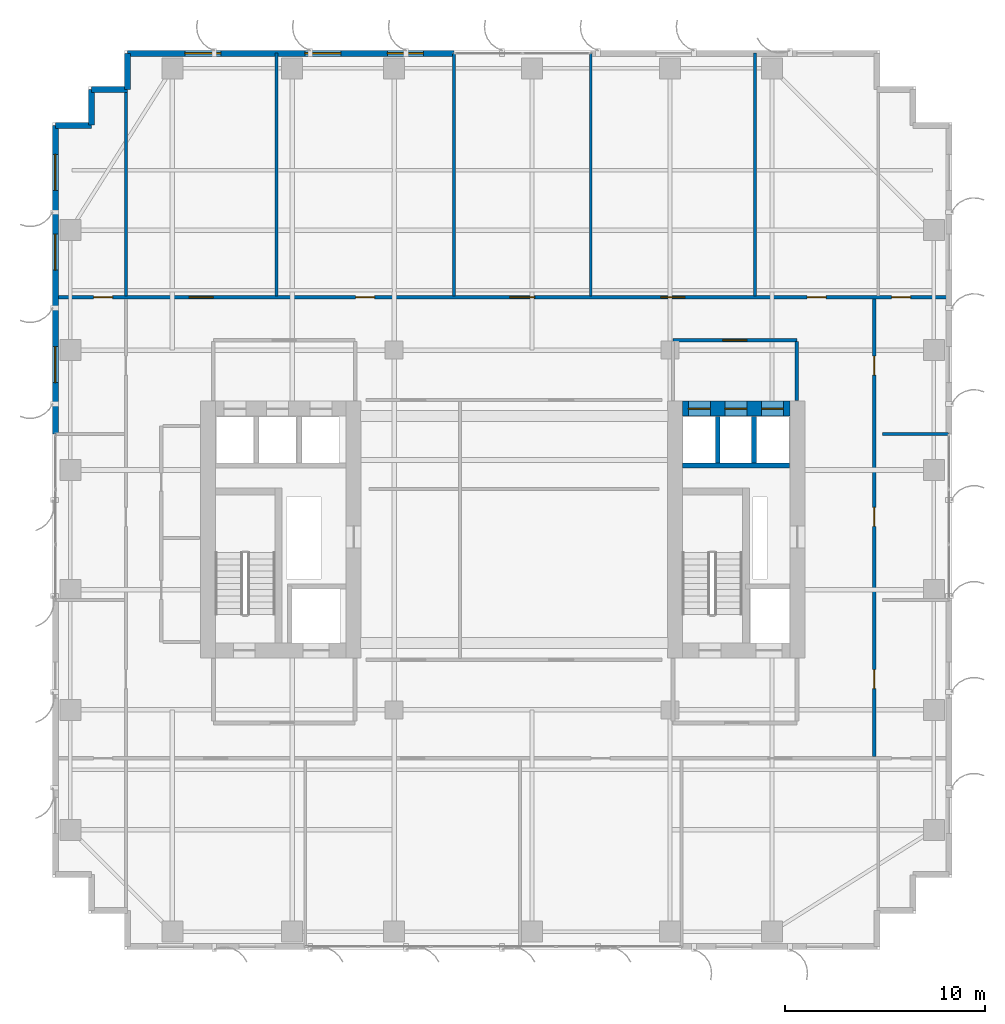
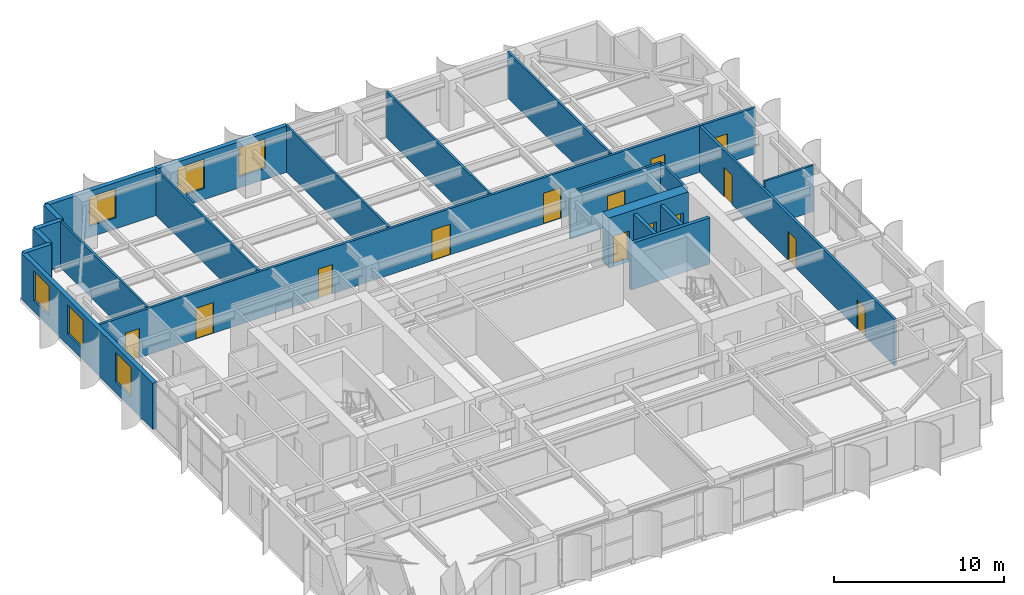
# One storey, part 18 of 22: 20 walls, 14 doors, 6 windows, 20 openings.
"""IFC4 building model written with IfcOpenShell, lengths in metres."""

from ifc_helpers import new_model, si_unit, direction, frame, frame_2d, origin, place, context, subcontext, project, spatial, rectangle, extrude, source, transform, mapped, material, layer, layer_set, type_object, element, fill, save


model = new_model("IFC4")

# Units and contexts
model_context = context("Model", 3, precision=1e-05, world=origin(), true_north=direction((0.0, 1.0)))
body_context = subcontext(model_context, "Body", "Model", "MODEL_VIEW")
ifc_project = project(units=[si_unit("LENGTHUNIT", "METRE"), si_unit("AREAUNIT", "SQUARE_METRE"), si_unit("VOLUMEUNIT", "CUBIC_METRE"), si_unit("PLANEANGLEUNIT", "RADIAN"), si_unit("MASSUNIT", "GRAM", prefix="KILO")], contexts=[model_context])

# Site, building, storey
site_placement = place(None, origin())
site = spatial("IfcSite", under=ifc_project, at=site_placement, CompositionType="ELEMENT")
building_placement = place(site_placement, origin())
building = spatial("IfcBuilding", under=site, at=building_placement, Name="Khoralis Quay Care Tower", CompositionType="ELEMENT")
storey_placement = place(building_placement, frame((0.0, 0.0, 141.300048828125)))
storey = spatial("IfcBuildingStorey", under=building, at=storey_placement, Name="L37", CompositionType="ELEMENT", Elevation=141.300048828125)

# Wall, openings, doors
ifc_material_1 = material(Name="Concrete C80/95", Category="concrete")
ifc_layer_1 = layer(ifc_material_1, 0.75)
ifc_layer_set_1 = layer_set([ifc_layer_1], Name="Concrete C80/95")
wall_type_1 = type_object("IfcWallType", Name="WL-CORE-750", PredefinedType="SHEAR", material=ifc_layer_set_1)
wall_1_placement = place(storey_placement, frame((31.52001953125, 27.074951171875, 0.0), z_axis=(0.0, 0.0, 1.0), x_axis=(1.0, 0.0, 0.0)))
wall_1 = element("IfcWall", 1, at=wall_1_placement, inside=storey, type_object=wall_type_1, Name="L37 ECORE North Shear Wall", PredefinedType="SHEAR", context=body_context, shape_type="SweptSolid", body=[
    extrude(rectangle(XDim=5.3798828125, YDim=0.75, at=frame_2d((2.68994140625, 0.0))), origin(), (0.0, 0.0, 1.0), 3.599853515625),
])
opening_1_placement = place(wall_1_placement, frame((0.300048828125, 0.0, 0.0)))
opening_1 = element("IfcOpeningElement", 2, at=opening_1_placement, cuts=wall_1, Name="Opening LD1", PredefinedType="OPENING", context=body_context, shape_type="SweptSolid", body=[
    extrude(rectangle(XDim=1.10009765625, YDim=2.199951171875, at=frame_2d((0.550048828125, 1.10009765625))), frame((0.0, 0.385009765625, 0.0), z_axis=(0.0, -1.0, 0.0), x_axis=(1.0, 0.0, 0.0)), (0.0, 0.0, 1.0), 0.77001953125),
])
opening_2_placement = place(wall_1_placement, frame((2.1298828125, 0.0, 0.0)))
opening_2 = element("IfcOpeningElement", 3, at=opening_2_placement, cuts=wall_1, Name="Opening LD1", PredefinedType="OPENING", context=body_context, shape_type="SweptSolid", body=[
    extrude(rectangle(XDim=1.10009765625, YDim=2.199951171875, at=frame_2d((0.550048828125, 1.10009765625))), frame((0.0, 0.385009765625, 0.0), z_axis=(0.0, -1.0, 0.0), x_axis=(1.0, 0.0, 0.0)), (0.0, 0.0, 1.0), 0.77001953125),
])
opening_3_placement = place(wall_1_placement, frame((3.9599609375, 0.0, 0.0)))
opening_3 = element("IfcOpeningElement", 4, at=opening_3_placement, cuts=wall_1, Name="Opening LD1", PredefinedType="OPENING", context=body_context, shape_type="SweptSolid", body=[
    extrude(rectangle(XDim=1.10009765625, YDim=2.199951171875, at=frame_2d((0.550048828125, 1.10009765625))), frame((0.0, 0.385009765625, 0.0), z_axis=(0.0, -1.0, 0.0), x_axis=(1.0, 0.0, 0.0)), (0.0, 0.0, 1.0), 0.77001953125),
])
ifc_material_2 = material(Name="Brushed stainless steel", Category="steel")
door_type_1 = type_object("IfcDoorType", Name="DR-LIFT-1100X2200", OperationType="SLIDING_TO_LEFT", PredefinedType="DOOR", material=ifc_material_2)
shared_shape_1 = source(origin(), body_context, "Body", "SweptSolid", [
    extrude(rectangle(XDim=1.10009765625, YDim=2.199951171875, at=frame_2d((0.550048828125, 1.10009765625))), frame((0.0, 0.02490234375, 0.0), z_axis=(0.0, -1.0, 0.0), x_axis=(1.0, 0.0, 0.0)), (0.0, 0.0, 1.0), 0.050048828125),
])
door_1_placement = place(opening_1_placement, origin())
door_1 = element("IfcDoor", 5, at=door_1_placement, inside=storey, type_object=door_type_1, Name="L37 Lift PLL2 Landing Door", OperationType="SLIDING_TO_LEFT", OverallHeight=2.199951171875, OverallWidth=1.10009765625, PredefinedType="DOOR", context=body_context, shape_type="MappedRepresentation", body=[
    mapped(shared_shape_1, transform((0.0, 0.0, 0.0), scale=1.0)),
])
fill(opening_1, door_1)
door_2_placement = place(opening_2_placement, origin())
door_2 = element("IfcDoor", 6, at=door_2_placement, inside=storey, type_object=door_type_1, Name="L37 Lift PLM2 Landing Door", OperationType="SLIDING_TO_LEFT", OverallHeight=2.199951171875, OverallWidth=1.10009765625, PredefinedType="DOOR", context=body_context, shape_type="MappedRepresentation", body=[
    mapped(shared_shape_1, transform((0.0, 0.0, 0.0), scale=1.0)),
])
fill(opening_2, door_2)
door_3_placement = place(opening_3_placement, origin())
door_3 = element("IfcDoor", 7, at=door_3_placement, inside=storey, type_object=door_type_1, Name="L37 Lift PLH2 Landing Door", OperationType="SLIDING_TO_LEFT", OverallHeight=2.199951171875, OverallWidth=1.10009765625, PredefinedType="DOOR", context=body_context, shape_type="MappedRepresentation", body=[
    mapped(shared_shape_1, transform((0.0, 0.0, 0.0), scale=1.0)),
])
fill(opening_3, door_3)

# Wall, opening, door
ifc_material_3 = material(Name="Gypsum plasterboard on acoustic metal stud")
ifc_layer_2 = layer(ifc_material_3, 0.1650390625)
ifc_layer_set_2 = layer_set([ifc_layer_2], Name="Gypsum plasterboard on acoustic metal stud")
wall_type_2 = type_object("IfcWallType", Name="WL-CORR-165", PredefinedType="PARTITIONING", material=ifc_layer_set_2)
wall_2_placement = place(storey_placement, frame((31.050048828125, 30.5, 0.0), z_axis=(0.0, 0.0, 1.0), x_axis=(1.0, 0.0, 0.0)))
wall_2 = element("IfcWall", 8, at=wall_2_placement, inside=storey, type_object=wall_type_2, Name="L37 East Lift Lobby North Wall", PredefinedType="PARTITIONING", context=body_context, shape_type="SweptSolid", body=[
    extrude(rectangle(XDim=6.199951171875, YDim=0.1650390625, at=frame_2d((3.10009765625, 0.0))), origin(), (0.0, 0.0, 1.0), 3.320068359375),
])
opening_4_placement = place(wall_2_placement, frame((2.5, 0.0, 0.0)))
opening_4 = element("IfcOpeningElement", 9, at=opening_4_placement, cuts=wall_2, Name="Opening FD1", PredefinedType="OPENING", context=body_context, shape_type="SweptSolid", body=[
    extrude(rectangle(XDim=1.199951171875, YDim=2.199951171875, at=frame_2d((0.60009765625, 1.10009765625))), frame((0.0, 0.092529296875, 0.0), z_axis=(0.0, -1.0, 0.0), x_axis=(1.0, 0.0, 0.0)), (0.0, 0.0, 1.0), 0.18505859375),
])
ifc_material_4 = material(Name="Fire-rated painted steel", Category="steel")
door_type_2 = type_object("IfcDoorType", Name="DR-FFL-1200X2200", OperationType="NOTDEFINED", PredefinedType="DOOR", material=ifc_material_4)
shared_shape_2 = source(origin(), body_context, "Body", "SweptSolid", [
    extrude(rectangle(XDim=1.199951171875, YDim=2.199951171875, at=frame_2d((0.60009765625, 1.10009765625))), frame((0.0, 0.02490234375, 0.0), z_axis=(0.0, -1.0, 0.0), x_axis=(1.0, 0.0, 0.0)), (0.0, 0.0, 1.0), 0.050048828125),
])
door_4_placement = place(opening_4_placement, origin())
door_4 = element("IfcDoor", 10, at=door_4_placement, inside=storey, type_object=door_type_2, Name="L37 East Lift Lobby Double Door", OperationType="DOUBLE_DOOR_SINGLE_SWING", OverallHeight=2.199951171875, OverallWidth=1.199951171875, PredefinedType="DOOR", context=body_context, shape_type="MappedRepresentation", body=[
    mapped(shared_shape_2, transform((0.0, 0.0, 0.0), scale=1.0)),
])
fill(opening_4, door_4)

# Wall
wall_3_placement = place(storey_placement, frame((37.25, 27.469970703125, 0.0), z_axis=(0.0, 0.0, 1.0), x_axis=(0.0, 1.0, 0.0)))
element("IfcWall", 11, at=wall_3_placement, inside=storey, type_object=wall_type_2, Name="L37 East Lift Lobby East Wall", PredefinedType="PARTITIONING", context=body_context, shape_type="SweptSolid", body=[
    extrude(rectangle(XDim=2.95263671875, YDim=0.1650390625, at=frame_2d((1.476318359375, 0.0))), origin(), (0.0, 0.0, 1.0), 3.320068359375),
])

# Wall, openings, doors
wall_4_placement = place(storey_placement, frame((0.14501953125, 32.639892578125, 0.0), z_axis=(0.0, 0.0, 1.0), x_axis=(1.0, 0.0, 0.0)))
wall_4 = element("IfcWall", 12, at=wall_4_placement, inside=storey, type_object=wall_type_2, Name="L37 North Main Corridor Wall", PredefinedType="PARTITIONING", context=body_context, shape_type="SweptSolid", body=[
    extrude(rectangle(XDim=44.7099609375, YDim=0.1650390625, at=frame_2d((22.35498046875, 0.0))), origin(), (0.0, 0.0, 1.0), 3.320068359375),
])
opening_5_placement = place(wall_4_placement, frame((6.699951171875, 0.0, 0.0)))
opening_5 = element("IfcOpeningElement", 13, at=opening_5_placement, cuts=wall_4, Name="Opening FD1", PredefinedType="OPENING", context=body_context, shape_type="SweptSolid", body=[
    extrude(rectangle(XDim=1.199951171875, YDim=2.199951171875, at=frame_2d((0.60009765625, 1.10009765625))), frame((0.0, 0.092529296875, 0.0), z_axis=(0.0, -1.0, 0.0), x_axis=(1.0, 0.0, 0.0)), (0.0, 0.0, 1.0), 0.18505859375),
])
opening_6_placement = place(wall_4_placement, frame((15.030029296875, 0.0, 0.0)))
opening_6 = element("IfcOpeningElement", 14, at=opening_6_placement, cuts=wall_4, Name="Opening ID1", PredefinedType="OPENING", context=body_context, shape_type="SweptSolid", body=[
    extrude(rectangle(XDim=0.949951171875, YDim=2.10009765625, at=frame_2d((0.47509765625, 1.050048828125))), frame((0.0, 0.092529296875, 0.0), z_axis=(0.0, -1.0, 0.0), x_axis=(1.0, 0.0, 0.0)), (0.0, 0.0, 1.0), 0.18505859375),
])
opening_7_placement = place(wall_4_placement, frame((22.7451171875, 0.0, 0.0)))
opening_7 = element("IfcOpeningElement", 15, at=opening_7_placement, cuts=wall_4, Name="Opening CD1", PredefinedType="OPENING", context=body_context, shape_type="SweptSolid", body=[
    extrude(rectangle(XDim=1.25, YDim=2.199951171875, at=frame_2d((0.625, 1.10009765625))), frame((0.0, 0.092529296875, 0.0), z_axis=(0.0, -1.0, 0.0), x_axis=(1.0, 0.0, 0.0)), (0.0, 0.0, 1.0), 0.18505859375),
])
opening_8_placement = place(wall_4_placement, frame((30.300048828125, 0.0, 0.0)))
opening_8 = element("IfcOpeningElement", 16, at=opening_8_placement, cuts=wall_4, Name="Opening FD1", PredefinedType="OPENING", context=body_context, shape_type="SweptSolid", body=[
    extrude(rectangle(XDim=1.199951171875, YDim=2.199951171875, at=frame_2d((0.60009765625, 1.10009765625))), frame((0.0, 0.092529296875, 0.0), z_axis=(0.0, -1.0, 0.0), x_axis=(1.0, 0.0, 0.0)), (0.0, 0.0, 1.0), 0.18505859375),
])
opening_9_placement = place(wall_4_placement, frame((37.614990234375, 0.0, 0.0)))
opening_9 = element("IfcOpeningElement", 17, at=opening_9_placement, cuts=wall_4, Name="Opening ID1", PredefinedType="OPENING", context=body_context, shape_type="SweptSolid", body=[
    extrude(rectangle(XDim=0.949951171875, YDim=2.10009765625, at=frame_2d((0.47509765625, 1.050048828125))), frame((0.0, 0.092529296875, 0.0), z_axis=(0.0, -1.0, 0.0), x_axis=(1.0, 0.0, 0.0)), (0.0, 0.0, 1.0), 0.18505859375),
])
opening_10_placement = place(wall_4_placement, frame((1.919921875, 0.0, 0.0)))
opening_10 = element("IfcOpeningElement", 18, at=opening_10_placement, cuts=wall_4, Name="Opening ID1", PredefinedType="OPENING", context=body_context, shape_type="SweptSolid", body=[
    extrude(rectangle(XDim=0.949951171875, YDim=2.10009765625, at=frame_2d((0.47509765625, 1.050048828125))), frame((0.0, 0.092529296875, 0.0), z_axis=(0.0, -1.0, 0.0), x_axis=(1.0, 0.0, 0.0)), (0.0, 0.0, 1.0), 0.18505859375),
])
opening_11_placement = place(wall_4_placement, frame((41.840087890625, 0.0, 0.0)))
opening_11 = element("IfcOpeningElement", 19, at=opening_11_placement, cuts=wall_4, Name="Opening ID1", PredefinedType="OPENING", context=body_context, shape_type="SweptSolid", body=[
    extrude(rectangle(XDim=0.949951171875, YDim=2.10009765625, at=frame_2d((0.47509765625, 1.050048828125))), frame((0.0, 0.092529296875, 0.0), z_axis=(0.0, -1.0, 0.0), x_axis=(1.0, 0.0, 0.0)), (0.0, 0.0, 1.0), 0.18505859375),
])
door_5_placement = place(opening_5_placement, origin())
door_5 = element("IfcDoor", 20, at=door_5_placement, inside=storey, type_object=door_type_2, Name="L37 Senior Wellness Pharmacy Shop Door", OperationType="DOUBLE_DOOR_SINGLE_SWING", OverallHeight=2.199951171875, OverallWidth=1.199951171875, PredefinedType="DOOR", context=body_context, shape_type="MappedRepresentation", body=[
    mapped(shared_shape_2, transform((0.0, 0.0, 0.0), scale=1.0)),
])
fill(opening_5, door_5)
door_6_placement = place(opening_8_placement, origin())
door_6 = element("IfcDoor", 21, at=door_6_placement, inside=storey, type_object=door_type_2, Name="L37 Assisted Communal Dining Room Door", OperationType="DOUBLE_DOOR_SINGLE_SWING", OverallHeight=2.199951171875, OverallWidth=1.199951171875, PredefinedType="DOOR", context=body_context, shape_type="MappedRepresentation", body=[
    mapped(shared_shape_2, transform((0.0, 0.0, 0.0), scale=1.0)),
])
fill(opening_8, door_6)
ifc_material_5 = material(Name="Acoustic hardwood timber", Category="wood")
door_type_3 = type_object("IfcDoorType", Name="DR-CARE-1250X2200", OperationType="NOTDEFINED", PredefinedType="DOOR", material=ifc_material_5)
shared_shape_3 = source(origin(), body_context, "Body", "SweptSolid", [
    extrude(rectangle(XDim=1.25, YDim=2.199951171875, at=frame_2d((0.625, 1.10009765625))), frame((0.0, 0.02490234375, 0.0), z_axis=(0.0, -1.0, 0.0), x_axis=(1.0, 0.0, 0.0)), (0.0, 0.0, 1.0), 0.050048828125),
])
door_7_placement = place(opening_7_placement, origin())
door_7 = element("IfcDoor", 22, at=door_7_placement, inside=storey, type_object=door_type_3, Name="L37 Physiotherapy Treatment Clinic Door", OperationType="SINGLE_SWING_LEFT", OverallHeight=2.199951171875, OverallWidth=1.25, PredefinedType="DOOR", context=body_context, shape_type="MappedRepresentation", body=[
    mapped(shared_shape_3, transform((0.0, 0.0, 0.0), scale=1.0)),
])
fill(opening_7, door_7)
door_type_4 = type_object("IfcDoorType", Name="DR-ROOM-950X2100", OperationType="NOTDEFINED", PredefinedType="DOOR", material=ifc_material_5)
shared_shape_4 = source(origin(), body_context, "Body", "SweptSolid", [
    extrude(rectangle(XDim=0.949951171875, YDim=2.10009765625, at=frame_2d((0.47509765625, 1.050048828125))), frame((0.0, 0.02490234375, 0.0), z_axis=(0.0, -1.0, 0.0), x_axis=(1.0, 0.0, 0.0)), (0.0, 0.0, 1.0), 0.050048828125),
])
door_8_placement = place(opening_6_placement, origin())
door_8 = element("IfcDoor", 23, at=door_8_placement, inside=storey, type_object=door_type_4, Name="L37 Family Case Conference Room Door", OperationType="SINGLE_SWING_LEFT", OverallHeight=2.10009765625, OverallWidth=0.949951171875, PredefinedType="DOOR", context=body_context, shape_type="MappedRepresentation", body=[
    mapped(shared_shape_4, transform((0.0, 0.0, 0.0), scale=1.0)),
])
fill(opening_6, door_8)
door_9_placement = place(opening_9_placement, origin())
door_9 = element("IfcDoor", 24, at=door_9_placement, inside=storey, type_object=door_type_4, Name="L37 Care Coordination Office Door", OperationType="SINGLE_SWING_RIGHT", OverallHeight=2.10009765625, OverallWidth=0.949951171875, PredefinedType="DOOR", context=body_context, shape_type="MappedRepresentation", body=[
    mapped(shared_shape_4, transform((0.0, 0.0, 0.0), scale=1.0)),
])
fill(opening_9, door_9)
door_10_placement = place(opening_10_placement, origin())
door_10 = element("IfcDoor", 25, at=door_10_placement, inside=storey, type_object=door_type_4, Name="L37 NW Corner Door", OperationType="SINGLE_SWING_RIGHT", OverallHeight=2.10009765625, OverallWidth=0.949951171875, PredefinedType="DOOR", context=body_context, shape_type="MappedRepresentation", body=[
    mapped(shared_shape_4, transform((0.0, 0.0, 0.0), scale=1.0)),
])
fill(opening_10, door_10)
door_11_placement = place(opening_11_placement, origin())
door_11 = element("IfcDoor", 26, at=door_11_placement, inside=storey, type_object=door_type_4, Name="L37 NE Corner Door", OperationType="SINGLE_SWING_LEFT", OverallHeight=2.10009765625, OverallWidth=0.949951171875, PredefinedType="DOOR", context=body_context, shape_type="MappedRepresentation", body=[
    mapped(shared_shape_4, transform((0.0, 0.0, 0.0), scale=1.0)),
])
fill(opening_11, door_11)

wall_5_placement = place(storey_placement, frame((41.1201171875, 9.657470703125, 0.0), z_axis=(0.0, 0.0, 1.0), x_axis=(0.0, 1.0, 0.0)))
wall_5 = element("IfcWall", 27, at=wall_5_placement, inside=storey, type_object=wall_type_2, Name="L37 East Loop Corridor Wall", PredefinedType="PARTITIONING", context=body_context, shape_type="SweptSolid", body=[
    extrude(rectangle(XDim=22.905029296875, YDim=0.1650390625, at=frame_2d((11.45263671875, 0.0))), origin(), (0.0, 0.0, 1.0), 3.320068359375),
])
opening_12_placement = place(wall_5_placement, frame((3.407470703125, 0.0, 0.0)))
opening_12 = element("IfcOpeningElement", 28, at=opening_12_placement, cuts=wall_5, Name="Opening ID1", PredefinedType="OPENING", context=body_context, shape_type="SweptSolid", body=[
    extrude(rectangle(XDim=0.949951171875, YDim=2.10009765625, at=frame_2d((0.47509765625, 1.050048828125))), frame((0.0, 0.092529296875, 0.0), z_axis=(0.0, -1.0, 0.0), x_axis=(1.0, 0.0, 0.0)), (0.0, 0.0, 1.0), 0.18505859375),
])
opening_13_placement = place(wall_5_placement, frame((11.517578125, 0.0, 0.0)))
opening_13 = element("IfcOpeningElement", 29, at=opening_13_placement, cuts=wall_5, Name="Opening ID1", PredefinedType="OPENING", context=body_context, shape_type="SweptSolid", body=[
    extrude(rectangle(XDim=0.949951171875, YDim=2.10009765625, at=frame_2d((0.47509765625, 1.050048828125))), frame((0.0, 0.092529296875, 0.0), z_axis=(0.0, -1.0, 0.0), x_axis=(1.0, 0.0, 0.0)), (0.0, 0.0, 1.0), 0.18505859375),
])
opening_14_placement = place(wall_5_placement, frame((19.08740234375, 0.0, 0.0)))
opening_14 = element("IfcOpeningElement", 30, at=opening_14_placement, cuts=wall_5, Name="Opening ID1", PredefinedType="OPENING", context=body_context, shape_type="SweptSolid", body=[
    extrude(rectangle(XDim=0.949951171875, YDim=2.10009765625, at=frame_2d((0.47509765625, 1.050048828125))), frame((0.0, 0.092529296875, 0.0), z_axis=(0.0, -1.0, 0.0), x_axis=(1.0, 0.0, 0.0)), (0.0, 0.0, 1.0), 0.18505859375),
])
door_12_placement = place(opening_12_placement, frame((0.949951171875, 0.0, 0.0), z_axis=(0.0, 0.0, 1.0), x_axis=(-1.0, 0.0, 0.0)))
door_12 = element("IfcDoor", 31, at=door_12_placement, inside=storey, type_object=door_type_4, Name="L37 Therapy Consultation Room Door", OperationType="SINGLE_SWING_LEFT", OverallHeight=2.10009765625, OverallWidth=0.949951171875, PredefinedType="DOOR", context=body_context, shape_type="MappedRepresentation", body=[
    mapped(shared_shape_4, transform((0.0, 0.0, 0.0), scale=1.0)),
])
fill(opening_12, door_12)
door_13_placement = place(opening_13_placement, frame((0.949951171875, 0.0, 0.0), z_axis=(0.0, 0.0, 1.0), x_axis=(-1.0, 0.0, 0.0)))
door_13 = element("IfcDoor", 32, at=door_13_placement, inside=storey, type_object=door_type_4, Name="L37 Assisted Activity Lounge Door", OperationType="SINGLE_SWING_RIGHT", OverallHeight=2.10009765625, OverallWidth=0.949951171875, PredefinedType="DOOR", context=body_context, shape_type="MappedRepresentation", body=[
    mapped(shared_shape_4, transform((0.0, 0.0, 0.0), scale=1.0)),
])
fill(opening_13, door_13)
door_14_placement = place(opening_14_placement, frame((0.949951171875, 0.0, 0.0), z_axis=(0.0, 0.0, 1.0), x_axis=(-1.0, 0.0, 0.0)))
door_14 = element("IfcDoor", 33, at=door_14_placement, inside=storey, type_object=door_type_4, Name="L37 Nurse Charting Office Door", OperationType="SINGLE_SWING_LEFT", OverallHeight=2.10009765625, OverallWidth=0.949951171875, PredefinedType="DOOR", context=body_context, shape_type="MappedRepresentation", body=[
    mapped(shared_shape_4, transform((0.0, 0.0, 0.0), scale=1.0)),
])
fill(opening_14, door_14)

# Wall, openings, windows
ifc_material_6 = material(Name="Precast concrete C45/55", Category="concrete")
ifc_layer_3 = layer(ifc_material_6, 0.300048828125)
ifc_layer_set_3 = layer_set([ifc_layer_3], Name="Precast concrete C45/55")
wall_type_3 = type_object("IfcWallType", Name="WL-EXT-REF-300", PredefinedType="SOLIDWALL", material=ifc_layer_set_3)
wall_6_placement = place(storey_placement, frame((20.090087890625, 44.85009765625, 0.0), z_axis=(0.0, 0.0, 1.0), x_axis=(-1.0, 0.0, 0.0)))
wall_6 = element("IfcWall", 34, at=wall_6_placement, inside=storey, type_object=wall_type_3, Name="L37 External Facade Wall WL-EXT-L37-P1-E10B", PredefinedType="SOLIDWALL", context=body_context, shape_type="SweptSolid", body=[
    extrude(rectangle(XDim=16.340087890625, YDim=0.300048828125, at=frame_2d((8.169921875, 0.0))), origin(), (0.0, 0.0, 1.0), 3.320068359375),
])
opening_15_placement = place(wall_6_placement, frame((1.52490234375, 0.0, 0.800048828125)))
opening_15 = element("IfcOpeningElement", 35, at=opening_15_placement, cuts=wall_6, Name="Opening W2", PredefinedType="OPENING", context=body_context, shape_type="SweptSolid", body=[
    extrude(rectangle(XDim=1.800048828125, YDim=2.10009765625, at=frame_2d((0.89990234375, 1.050048828125))), frame((0.0, 0.16015625, 0.0), z_axis=(0.0, -1.0, 0.0), x_axis=(1.0, 0.0, 0.0)), (0.0, 0.0, 1.0), 0.320068359375),
])
opening_16_placement = place(wall_6_placement, frame((5.655029296875, 0.0, 0.800048828125)))
opening_16 = element("IfcOpeningElement", 36, at=opening_16_placement, cuts=wall_6, Name="Opening W2", PredefinedType="OPENING", context=body_context, shape_type="SweptSolid", body=[
    extrude(rectangle(XDim=1.800048828125, YDim=2.10009765625, at=frame_2d((0.89990234375, 1.050048828125))), frame((0.0, 0.16015625, 0.0), z_axis=(0.0, -1.0, 0.0), x_axis=(1.0, 0.0, 0.0)), (0.0, 0.0, 1.0), 0.320068359375),
])
opening_17_placement = place(wall_6_placement, frame((11.659912109375, 0.0, 0.800048828125)))
opening_17 = element("IfcOpeningElement", 37, at=opening_17_placement, cuts=wall_6, Name="Opening W2", PredefinedType="OPENING", context=body_context, shape_type="SweptSolid", body=[
    extrude(rectangle(XDim=1.800048828125, YDim=2.10009765625, at=frame_2d((0.89990234375, 1.050048828125))), frame((0.0, 0.16015625, 0.0), z_axis=(0.0, -1.0, 0.0), x_axis=(1.0, 0.0, 0.0)), (0.0, 0.0, 1.0), 0.320068359375),
])
ifc_material_7 = material(Name="Low-E solar-control double glazing", Category="glass")
window_type = type_object("IfcWindowType", Name="WN-POD-1800X2100", PartitioningType="SINGLE_PANEL", PredefinedType="WINDOW", material=ifc_material_7)
shared_shape_5 = source(origin(), body_context, "Body", "SweptSolid", [
    extrude(rectangle(XDim=1.800048828125, YDim=2.10009765625, at=frame_2d((0.89990234375, 1.050048828125))), frame((0.0, 0.030029296875, 0.0), z_axis=(0.0, -1.0, 0.0), x_axis=(1.0, 0.0, 0.0)), (0.0, 0.0, 1.0), 0.06005859375),
])
window_1_placement = place(opening_15_placement, origin())
window_1 = element("IfcWindow", 38, at=window_1_placement, inside=storey, type_object=window_type, Name="WN-L37-P1-E10B Facade Window 01", OverallHeight=2.10009765625, OverallWidth=1.800048828125, PartitioningType="SINGLE_PANEL", PredefinedType="WINDOW", context=body_context, shape_type="MappedRepresentation", body=[
    mapped(shared_shape_5, transform((0.0, 0.0, 0.0), scale=1.0)),
])
fill(opening_15, window_1)
window_2_placement = place(opening_16_placement, origin())
window_2 = element("IfcWindow", 39, at=window_2_placement, inside=storey, type_object=window_type, Name="WN-L37-P1-E10B Facade Window 02", OverallHeight=2.10009765625, OverallWidth=1.800048828125, PartitioningType="SINGLE_PANEL", PredefinedType="WINDOW", context=body_context, shape_type="MappedRepresentation", body=[
    mapped(shared_shape_5, transform((0.0, 0.0, 0.0), scale=1.0)),
])
fill(opening_16, window_2)
window_3_placement = place(opening_17_placement, origin())
window_3 = element("IfcWindow", 40, at=window_3_placement, inside=storey, type_object=window_type, Name="WN-L37-P1-E10B Facade Window 03", OverallHeight=2.10009765625, OverallWidth=1.800048828125, PartitioningType="SINGLE_PANEL", PredefinedType="WINDOW", context=body_context, shape_type="MappedRepresentation", body=[
    mapped(shared_shape_5, transform((0.0, 0.0, 0.0), scale=1.0)),
])
fill(opening_17, window_3)

# Walls
for number, where, z_axis, x_axis, name in (
    (41, (3.75, 44.85009765625, 0.0), (0.0, 0.0, 1.0), (0.0, -1.0, 0.0), "L37 External Facade Wall WL-EXT-L37-P1-C11"),
    (42, (3.75, 43.050048828125, 0.0), (0.0, 0.0, 1.0), (-1.0, 0.0, 0.0), "L37 External Facade Wall WL-EXT-L37-P1-C12"),
    (43, (1.949951171875, 43.050048828125, 0.0), (0.0, 0.0, 1.0), (0.0, -1.0, 0.0), "L37 External Facade Wall WL-EXT-L37-P1-C13"),
    (44, (1.949951171875, 41.25, 0.0), (0.0, 0.0, 1.0), (-1.0, 0.0, 0.0), "L37 External Facade Wall WL-EXT-L37-P1-C14"),
):
    element("IfcWall", number, at=place(storey_placement, frame(where, z_axis=z_axis, x_axis=x_axis)), inside=storey, type_object=wall_type_3, Name=name, PredefinedType="SOLIDWALL", context=body_context, shape_type="SweptSolid", body=[
        extrude(rectangle(XDim=1.800048828125, YDim=0.300048828125, at=frame_2d((0.89990234375, 0.0))), origin(), (0.0, 0.0, 1.0), 3.320068359375),
    ])

# Wall, openings, windows
wall_7_placement = place(storey_placement, frame((0.14990234375, 41.25, 0.0), z_axis=(0.0, 0.0, 1.0), x_axis=(0.0, -1.0, 0.0)))
wall_7 = element("IfcWall", 45, at=wall_7_placement, inside=storey, type_object=wall_type_3, Name="L37 External Facade Wall WL-EXT-L37-P1-E15A", PredefinedType="SOLIDWALL", context=body_context, shape_type="SweptSolid", body=[
    extrude(rectangle(XDim=15.449951171875, YDim=0.300048828125, at=frame_2d((7.72509765625, 0.0))), origin(), (0.0, 0.0, 1.0), 3.320068359375),
])
opening_18_placement = place(wall_7_placement, frame((1.45751953125, 0.0, 0.800048828125)))
opening_18 = element("IfcOpeningElement", 46, at=opening_18_placement, cuts=wall_7, Name="Opening W2", PredefinedType="OPENING", context=body_context, shape_type="SweptSolid", body=[
    extrude(rectangle(XDim=1.800048828125, YDim=2.10009765625, at=frame_2d((0.89990234375, 1.050048828125))), frame((0.0, 0.16015625, 0.0), z_axis=(0.0, -1.0, 0.0), x_axis=(1.0, 0.0, 0.0)), (0.0, 0.0, 1.0), 0.320068359375),
])
opening_19_placement = place(wall_7_placement, frame((5.452392578125, 0.0, 0.800048828125)))
opening_19 = element("IfcOpeningElement", 47, at=opening_19_placement, cuts=wall_7, Name="Opening W2", PredefinedType="OPENING", context=body_context, shape_type="SweptSolid", body=[
    extrude(rectangle(XDim=1.800048828125, YDim=2.10009765625, at=frame_2d((0.89990234375, 1.050048828125))), frame((0.0, 0.16015625, 0.0), z_axis=(0.0, -1.0, 0.0), x_axis=(1.0, 0.0, 0.0)), (0.0, 0.0, 1.0), 0.320068359375),
])
opening_20_placement = place(wall_7_placement, frame((11.080078125, 0.0, 0.800048828125)))
opening_20 = element("IfcOpeningElement", 48, at=opening_20_placement, cuts=wall_7, Name="Opening W2", PredefinedType="OPENING", context=body_context, shape_type="SweptSolid", body=[
    extrude(rectangle(XDim=1.800048828125, YDim=2.10009765625, at=frame_2d((0.89990234375, 1.050048828125))), frame((0.0, 0.16015625, 0.0), z_axis=(0.0, -1.0, 0.0), x_axis=(1.0, 0.0, 0.0)), (0.0, 0.0, 1.0), 0.320068359375),
])
window_4_placement = place(opening_18_placement, origin())
window_4 = element("IfcWindow", 49, at=window_4_placement, inside=storey, type_object=window_type, Name="WN-L37-P1-E15A Facade Window 01", OverallHeight=2.10009765625, OverallWidth=1.800048828125, PartitioningType="SINGLE_PANEL", PredefinedType="WINDOW", context=body_context, shape_type="MappedRepresentation", body=[
    mapped(shared_shape_5, transform((0.0, 0.0, 0.0), scale=1.0)),
])
fill(opening_18, window_4)
window_5_placement = place(opening_19_placement, origin())
window_5 = element("IfcWindow", 50, at=window_5_placement, inside=storey, type_object=window_type, Name="WN-L37-P1-E15A Facade Window 02", OverallHeight=2.10009765625, OverallWidth=1.800048828125, PartitioningType="SINGLE_PANEL", PredefinedType="WINDOW", context=body_context, shape_type="MappedRepresentation", body=[
    mapped(shared_shape_5, transform((0.0, 0.0, 0.0), scale=1.0)),
])
fill(opening_19, window_5)
window_6_placement = place(opening_20_placement, origin())
window_6 = element("IfcWindow", 51, at=window_6_placement, inside=storey, type_object=window_type, Name="WN-L37-P1-E15A Facade Window 03", OverallHeight=2.10009765625, OverallWidth=1.800048828125, PartitioningType="SINGLE_PANEL", PredefinedType="WINDOW", context=body_context, shape_type="MappedRepresentation", body=[
    mapped(shared_shape_5, transform((0.0, 0.0, 0.0), scale=1.0)),
])
fill(opening_20, window_6)

# Walls
ifc_layer_4 = layer(ifc_material_3, 0.239990234375)
ifc_layer_set_4 = layer_set([ifc_layer_4], Name="Gypsum plasterboard on acoustic metal stud")
wall_type_4 = type_object("IfcWallType", Name="WL-SHAFT-240", PredefinedType="PARTITIONING", material=ifc_layer_set_4)
wall_8_placement = place(storey_placement, frame((31.52001953125, 24.22998046875, 0.0), z_axis=(0.0, 0.0, 1.0), x_axis=(1.0, 0.0, 0.0)))
element("IfcWall", 52, at=wall_8_placement, inside=storey, type_object=wall_type_4, Name="L37 East Passenger Shaft South Wall", PredefinedType="PARTITIONING", context=body_context, shape_type="SweptSolid", body=[
    extrude(rectangle(XDim=5.35986328125, YDim=0.239990234375, at=frame_2d((2.679931640625, 0.0))), origin(), (0.0, 0.0, 1.0), 3.320068359375),
])
for number, where, z_axis, x_axis, name in (
    (53, (33.2900390625, 24.344970703125, 0.0), (0.0, 0.0, 1.0), (0.0, 1.0, 0.0), "L37 East Shaft Divider 1"),
    (54, (35.110107421875, 24.344970703125, 0.0), (0.0, 0.0, 1.0), (0.0, 1.0, 0.0), "L37 East Shaft Divider 2"),
):
    element("IfcWall", number, at=place(storey_placement, frame(where, z_axis=z_axis, x_axis=x_axis)), inside=storey, type_object=wall_type_4, Name=name, PredefinedType="PARTITIONING", context=body_context, shape_type="SweptSolid", body=[
        extrude(rectangle(XDim=2.3349609375, YDim=0.239990234375, at=frame_2d((1.16748046875, 0.0))), origin(), (0.0, 0.0, 1.0), 3.320068359375),
    ])
ifc_layer_5 = layer(ifc_material_3, 0.139892578125)
ifc_layer_set_5 = layer_set([ifc_layer_5], Name="Gypsum plasterboard on acoustic metal stud")
wall_type_5 = type_object("IfcWallType", Name="WL-UNIT-140", PredefinedType="PARTITIONING", material=ifc_layer_set_5)
wall_9_placement = place(storey_placement, frame((41.5400390625, 25.800048828125, 0.0), z_axis=(0.0, 0.0, 1.0), x_axis=(1.0, 0.0, 0.0)))
element("IfcWall", 55, at=wall_9_placement, inside=storey, type_object=wall_type_5, Name="L37 EE Divider 2", PredefinedType="PARTITIONING", context=body_context, shape_type="SweptSolid", body=[
    extrude(rectangle(XDim=3.31494140625, YDim=0.139892578125, at=frame_2d((1.657470703125, 0.0))), origin(), (0.0, 0.0, 1.0), 3.320068359375),
])
wall_10_placement = place(storey_placement, frame((3.679931640625, 32.717529296875, 0.0), z_axis=(0.0, 0.0, 1.0), x_axis=(0.0, 1.0, 0.0)))
element("IfcWall", 56, at=wall_10_placement, inside=storey, type_object=wall_type_5, Name="L37 NB Demising Wall 0", PredefinedType="PARTITIONING", context=body_context, shape_type="SweptSolid", body=[
    extrude(rectangle(XDim=10.33740234375, YDim=0.139892578125, at=frame_2d((5.168701171875, 0.0))), origin(), (0.0, 0.0, 1.0), 3.320068359375),
])
for number, where, z_axis, x_axis, name in (
    (57, (11.2099609375, 32.717529296875, 0.0), (0.0, 0.0, 1.0), (0.0, 1.0, 0.0), "L37 NB Demising Wall 1"),
    (58, (20.090087890625, 32.717529296875, 0.0), (0.0, 0.0, 1.0), (0.0, 1.0, 0.0), "L37 NB Demising Wall 2"),
    (59, (26.93994140625, 32.717529296875, 0.0), (0.0, 0.0, 1.0), (0.0, 1.0, 0.0), "L37 NB Demising Wall 3"),
    (60, (35.14990234375, 32.717529296875, 0.0), (0.0, 0.0, 1.0), (0.0, 1.0, 0.0), "L37 NB Demising Wall 4"),
):
    element("IfcWall", number, at=place(storey_placement, frame(where, z_axis=z_axis, x_axis=x_axis)), inside=storey, type_object=wall_type_5, Name=name, PredefinedType="PARTITIONING", context=body_context, shape_type="SweptSolid", body=[
        extrude(rectangle(XDim=12.137451171875, YDim=0.139892578125, at=frame_2d((6.06884765625, 0.0))), origin(), (0.0, 0.0, 1.0), 3.320068359375),
    ])

save(model, "model.ifc")
